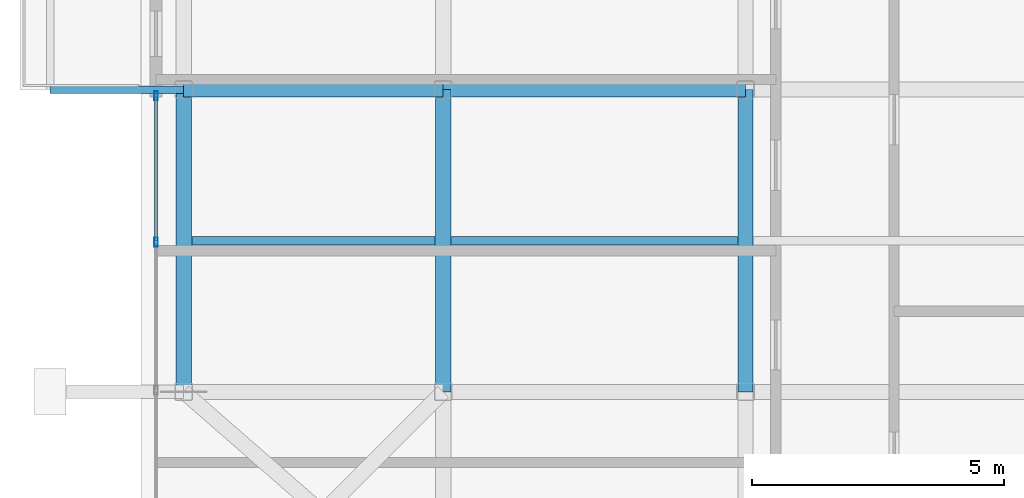
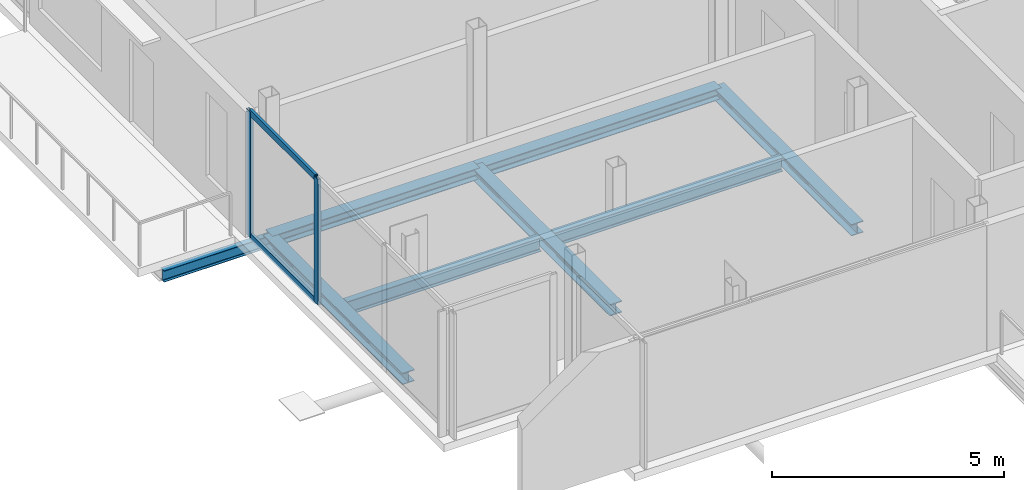
# One storey, part 3 of 18: 8 beams, 4 members, 1 element without a shape of its own.
"""IFC4 building model written with IfcOpenShell, lengths in metres."""

from ifc_helpers import new_model, si_unit, direction, frame, origin, origin_2d, place, context, subcontext, project, spatial, hollow_rectangle, i_section, extrude, material, layer, layer_set, material_profile, profile_set, type_object, element, aggregate, save


model = new_model("IFC4")

# Units and contexts
model_context = context("Model", 3, precision=1e-05, world=origin(), true_north=direction((0.0, 1.0)))
body_context = subcontext(model_context, "Body", "Model", "MODEL_VIEW")
ifc_project = project(units=[si_unit("LENGTHUNIT", "METRE"), si_unit("AREAUNIT", "SQUARE_METRE"), si_unit("VOLUMEUNIT", "CUBIC_METRE"), si_unit("PLANEANGLEUNIT", "RADIAN"), si_unit("MASSUNIT", "GRAM", prefix="KILO"), si_unit("THERMODYNAMICTEMPERATUREUNIT", "KELVIN"), si_unit("POWERUNIT", "WATT")], contexts=[model_context])

# Site, building, storey
site_placement = place(None, origin())
site = spatial("IfcSite", under=ifc_project, at=site_placement, CompositionType="ELEMENT")
building_placement = place(site_placement, origin())
building = spatial("IfcBuilding", under=site, at=building_placement, Name="Svarakhadi Broadcast Tower", CompositionType="ELEMENT")
storey_placement = place(building_placement, frame((0.0, 0.0, 278.199951171875)))
storey = spatial("IfcBuildingStorey", under=building, at=storey_placement, Name="L70", CompositionType="ELEMENT", Elevation=278.199951171875)

# Beams
ifc_material_1 = material(Name="Steel S355J2 (IS 2062 E350C)", Category="steel")
ifc_material_profile_1 = material_profile(ifc_material_1, i_section(OverallWidth=0.169921875, OverallDepth=0.360107421875, WebThickness=0.008056640625, FlangeThickness=0.0126953125, FilletRadius=0.01806640625, at=origin_2d()), Name="NPB 360x170x57")
ifc_profile_set_1 = profile_set([ifc_material_profile_1], Name="Steel S355J2 (IS 2062 E350C)")
beam_type_1 = type_object("IfcBeamType", Name="Beam_NPB360", PredefinedType="BEAM", material=ifc_profile_set_1)
beam_1_placement = place(storey_placement, frame((1.010009765625, 9.0, -0.3798828125), z_axis=(1.0, 0.0, 0.0), x_axis=(0.0, 1.0, 0.0)))
element("IfcBeam", 1, at=beam_1_placement, inside=storey, type_object=beam_type_1, Name="L70 Secondary Composite Beam SB001", PredefinedType="BEAM", context=body_context, shape_type="SweptSolid", body=[
    extrude(i_section(OverallWidth=0.169921875, OverallDepth=0.360107421875, WebThickness=0.008056640625, FlangeThickness=0.0126953125, FilletRadius=0.01806640625, at=origin_2d()), origin(), (0.0, 0.0, 1.0), 4.830078125),
])
beam_2_placement = place(storey_placement, frame((6.159912109375, 9.0, -0.3798828125), z_axis=(1.0, 0.0, 0.0), x_axis=(0.0, 1.0, 0.0)))
element("IfcBeam", 2, at=beam_2_placement, inside=storey, type_object=beam_type_1, Name="L70 Secondary Composite Beam SB005", PredefinedType="BEAM", context=body_context, shape_type="SweptSolid", body=[
    extrude(i_section(OverallWidth=0.169921875, OverallDepth=0.360107421875, WebThickness=0.008056640625, FlangeThickness=0.0126953125, FilletRadius=0.01806640625, at=origin_2d()), origin(), (0.0, 0.0, 1.0), 5.68017578125),
])

# Curtain wall, members
ifc_material_2 = material(Name="Anodised Bronze Aluminium AA 6063-T6", Category="aluminium")
ifc_layer = layer(ifc_material_2, 0.179931640625)
ifc_layer_set = layer_set([ifc_layer], Name="Anodised Bronze Aluminium AA 6063-T6")
curtain_wall_type = type_object("IfcCurtainWallType", Name="CW_Sys_05", PredefinedType="NOTDEFINED", material=ifc_layer_set)
curtain_wall_placement = place(storey_placement, origin())
curtain_wall = element("IfcCurtainWall", 3, at=curtain_wall_placement, inside=storey, type_object=curtain_wall_type, Name="L70 West Curtain Wall 02", PredefinedType="NOTDEFINED")
ifc_material_profile_2 = material_profile(ifc_material_2, hollow_rectangle(XDim=0.070068359375, YDim=0.179931640625, WallThickness=0.005615234375, at=origin_2d()), Name="ALU MULLION 180x70x6")
ifc_profile_set_2 = profile_set([ifc_material_profile_2], Name="Anodised Bronze Aluminium AA 6063-T6")
member_type_1 = type_object("IfcMemberType", Name="CW_Sys_05_Mul", PredefinedType="MULLION", material=ifc_profile_set_2)
member_1_placement = place(storey_placement, frame((0.300048828125, 8.969970703125, 0.0), z_axis=(0.0, 0.0, 1.0), x_axis=(-1.0, 0.0, 0.0)))
member_1 = element("IfcMember", 4, at=member_1_placement, type_object=member_type_1, Name="CW-05 mullion 3", PredefinedType="MULLION", context=body_context, shape_type="SweptSolid", body=[
    extrude(hollow_rectangle(XDim=0.070068359375, YDim=0.179931640625, WallThickness=0.005615234375, at=origin_2d()), origin(), (0.0, 0.0, 1.0), 3.300048828125),
])
member_2_placement = place(storey_placement, frame((0.300048828125, 11.875, 0.0), z_axis=(0.0, 0.0, 1.0), x_axis=(-1.0, 0.0, 0.0)))
member_2 = element("IfcMember", 5, at=member_2_placement, type_object=member_type_1, Name="CW-05 mullion 4", PredefinedType="MULLION", context=body_context, shape_type="SweptSolid", body=[
    extrude(hollow_rectangle(XDim=0.070068359375, YDim=0.179931640625, WallThickness=0.005615234375, at=origin_2d()), origin(), (0.0, 0.0, 1.0), 3.300048828125),
])
ifc_material_profile_3 = material_profile(ifc_material_2, hollow_rectangle(XDim=0.06494140625, YDim=0.1650390625, WallThickness=0.0048828125, at=origin_2d()), Name="ALU TRANSOM 165x65x5")
ifc_profile_set_3 = profile_set([ifc_material_profile_3], Name="Anodised Bronze Aluminium AA 6063-T6")
member_type_2 = type_object("IfcMemberType", Name="CW_Sys_05_Trn", PredefinedType="USERDEFINED", material=ifc_profile_set_3)
member_3_placement = place(storey_placement, frame((0.300048828125, 9.0048828125, 0.032470703125), z_axis=(0.0, 1.0, 0.0), x_axis=(-1.0, 0.0, 0.0)))
member_3 = element("IfcMember", 6, at=member_3_placement, type_object=member_type_2, Name="CW-05 transom 3.1", ObjectType="TRANSOM", PredefinedType="USERDEFINED", context=body_context, shape_type="SweptSolid", body=[
    extrude(hollow_rectangle(XDim=0.06494140625, YDim=0.1650390625, WallThickness=0.0048828125, at=origin_2d()), origin(), (0.0, 0.0, 1.0), 2.835205078125),
])
member_4_placement = place(storey_placement, frame((0.300048828125, 9.0048828125, 3.267578125), z_axis=(0.0, 1.0, 0.0), x_axis=(-1.0, 0.0, 0.0)))
member_4 = element("IfcMember", 7, at=member_4_placement, type_object=member_type_2, Name="CW-05 transom 3.2", ObjectType="TRANSOM", PredefinedType="USERDEFINED", context=body_context, shape_type="SweptSolid", body=[
    extrude(hollow_rectangle(XDim=0.06494140625, YDim=0.1650390625, WallThickness=0.0048828125, at=origin_2d()), origin(), (0.0, 0.0, 1.0), 2.835205078125),
])
aggregate(curtain_wall, [member_1, member_2, member_3, member_4])

# Beams
ifc_material_profile_4 = material_profile(ifc_material_1, i_section(OverallWidth=0.300048828125, OverallDepth=0.300048828125, WebThickness=0.010986328125, FlangeThickness=0.01904296875, FilletRadius=0.027099609375, at=origin_2d()), Name="WPB 300x300x117")
ifc_profile_set_4 = profile_set([ifc_material_profile_4], Name="Steel S355J2 (IS 2062 E350C)")
beam_type_2 = type_object("IfcBeamType", Name="Girder_WPB300", PredefinedType="USERDEFINED", material=ifc_profile_set_4)
beam_3_placement = place(storey_placement, frame((0.85009765625, 12.0, -0.349853515625), z_axis=(1.0, 0.0, 0.0), x_axis=(0.0, 1.0, 0.0)))
element("IfcBeam", 8, at=beam_3_placement, inside=storey, type_object=beam_type_2, Name="L70 Primary E-W Girder G013", ObjectType="GIRDER", PredefinedType="USERDEFINED", context=body_context, shape_type="SweptSolid", body=[
    extrude(i_section(OverallWidth=0.300048828125, OverallDepth=0.300048828125, WebThickness=0.010986328125, FlangeThickness=0.01904296875, FilletRadius=0.027099609375, at=origin_2d()), origin(), (0.0, 0.0, 1.0), 5.14990234375),
])
for number, where, z_axis, x_axis, name in (
    (9, (6.0, 12.0, -0.349853515625), (1.0, 0.0, 0.0), (0.0, 1.0, 0.0), "L70 Primary E-W Girder G014"),
    (10, (0.85009765625, 6.0, -0.349853515625), (0.0, 1.0, 0.0), (-1.0, 0.0, 0.0), "L70 Primary N-S Girder G026"),
    (11, (6.0, 6.0, -0.349853515625), (0.0, 1.0, 0.0), (-1.0, 0.0, 0.0), "L70 Primary N-S Girder G030"),
    (12, (12.0, 6.0, -0.349853515625), (0.0, 1.0, 0.0), (-1.0, 0.0, 0.0), "L70 Primary N-S Girder G034"),
):
    element("IfcBeam", number, at=place(storey_placement, frame(where, z_axis=z_axis, x_axis=x_axis)), inside=storey, type_object=beam_type_2, Name=name, ObjectType="GIRDER", PredefinedType="USERDEFINED", context=body_context, shape_type="SweptSolid", body=[
        extrude(i_section(OverallWidth=0.300048828125, OverallDepth=0.300048828125, WebThickness=0.010986328125, FlangeThickness=0.01904296875, FilletRadius=0.027099609375, at=origin_2d()), origin(), (0.0, 0.0, 1.0), 6.0),
    ])
ifc_material_profile_5 = material_profile(ifc_material_1, i_section(OverallWidth=0.14990234375, OverallDepth=0.300048828125, WebThickness=0.007080078125, FlangeThickness=0.0107421875, FilletRadius=0.014892578125, at=origin_2d()), Name="NPB 300x150x37")
ifc_profile_set_5 = profile_set([ifc_material_profile_5], Name="Steel S355J2 (IS 2062 E350C)")
beam_type_3 = type_object("IfcBeamType", Name="Spandrel_NPB300", PredefinedType="SPANDREL", material=ifc_profile_set_5)
beam_4_placement = place(storey_placement, frame((0.85009765625, 12.0, -0.375), z_axis=(-1.0, 0.0, 0.0), x_axis=(0.0, -1.0, 0.0)))
element("IfcBeam", 13, at=beam_4_placement, inside=storey, type_object=beam_type_3, Name="L70 Balcony Cantilever Bracket 2A", PredefinedType="SPANDREL", context=body_context, shape_type="SweptSolid", body=[
    extrude(i_section(OverallWidth=0.14990234375, OverallDepth=0.300048828125, WebThickness=0.007080078125, FlangeThickness=0.0107421875, FilletRadius=0.014892578125, at=origin_2d()), origin(), (0.0, 0.0, 1.0), 2.650146484375),
])

save(model, "model.ifc")
